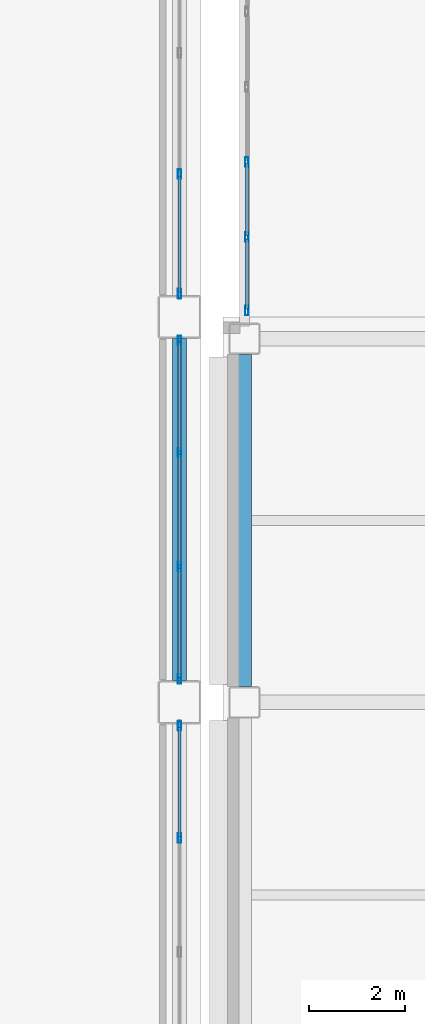
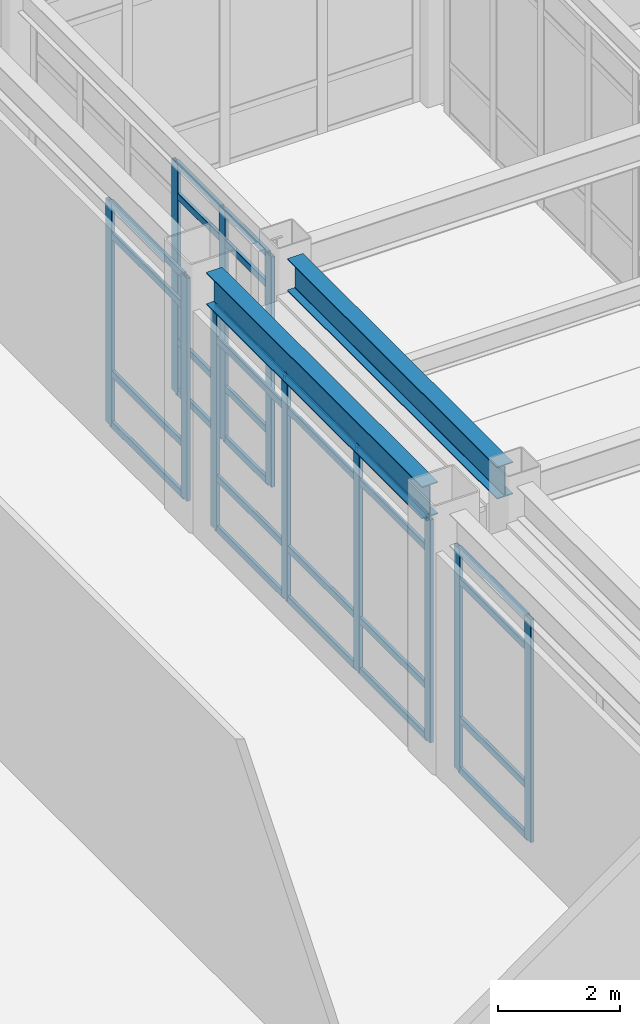
# One storey, part 62 of 165: 39 members, 2 beams, 4 elements without a shape of their own.
"""IFC4 building model written with IfcOpenShell, lengths in metres."""

from ifc_helpers import new_model, si_unit, direction, frame, origin, origin_2d, place, context, subcontext, project, spatial, hollow_rectangle, i_section, extrude, material, layer, layer_set, material_profile, profile_set, type_object, element, aggregate, save


model = new_model("IFC4")

# Units and contexts
model_context = context("Model", 3, precision=1e-05, world=origin(), true_north=direction((0.0, 1.0)))
body_context = subcontext(model_context, "Body", "Model", "MODEL_VIEW")
ifc_project = project(units=[si_unit("LENGTHUNIT", "METRE"), si_unit("AREAUNIT", "SQUARE_METRE"), si_unit("VOLUMEUNIT", "CUBIC_METRE"), si_unit("PLANEANGLEUNIT", "RADIAN"), si_unit("MASSUNIT", "GRAM", prefix="KILO")], contexts=[model_context])

# Site, building, storey
site_placement = place(None, origin())
site = spatial("IfcSite", under=ifc_project, at=site_placement, CompositionType="ELEMENT")
building_placement = place(site_placement, origin())
building = spatial("IfcBuilding", under=site, at=building_placement, Name="Kazehara Bluff Congress Hotel", CompositionType="ELEMENT")
storey_placement = place(building_placement, origin())
storey = spatial("IfcBuildingStorey", under=building, at=storey_placement, Name="L00", CompositionType="ELEMENT", Elevation=0.0)

# Curtain wall, members
ifc_material_1 = material(Name="Anodised aluminium", Category="aluminium")
ifc_layer_1 = layer(ifc_material_1, 0.159912109375)
ifc_layer_set_1 = layer_set([ifc_layer_1], Name="Anodised aluminium")
curtain_wall_type_1 = type_object("IfcCurtainWallType", Name="TP-CW-01", PredefinedType="NOTDEFINED", material=ifc_layer_set_1)
curtain_wall_1_placement = place(storey_placement, origin())
curtain_wall_1 = element("IfcCurtainWall", 1, at=curtain_wall_1_placement, inside=storey, type_object=curtain_wall_type_1, Name="L00 curtain wall CW-01 CW-BRG-34-L00-A", PredefinedType="NOTDEFINED")
ifc_material_2 = material(Name="Anodised aluminium", Category="aluminium")
ifc_material_profile_1 = material_profile(ifc_material_2, hollow_rectangle(XDim=0.070068359375, YDim=0.199951171875, WallThickness=0.0048828125, InnerFilletRadius=0.0048828125, OuterFilletRadius=0.010009765625, at=origin_2d()))
ifc_profile_set_1 = profile_set([ifc_material_profile_1], Name="Anodised aluminium")
member_type_1 = type_object("IfcMemberType", Name="TP-CWM-03", PredefinedType="MULLION", material=ifc_profile_set_1)
member_1_placement = place(storey_placement, frame((59.75, 72.5849609375, 0.0), z_axis=(0.0, 0.0, 1.0), x_axis=(-1.0, 0.0, 0.0)))
member_1 = element("IfcMember", 2, at=member_1_placement, type_object=member_type_1, Name="CW-01 mullion 1", PredefinedType="MULLION", context=body_context, shape_type="SweptSolid", body=[
    extrude(hollow_rectangle(XDim=0.070068359375, YDim=0.199951171875, WallThickness=0.0048828125, InnerFilletRadius=0.0048828125, OuterFilletRadius=0.010009765625, at=origin_2d()), origin(), (0.0, 0.0, 1.0), 4.625),
])
member_2_placement = place(storey_placement, frame((59.75, 74.110107421875, 0.0), z_axis=(0.0, 0.0, 1.0), x_axis=(-1.0, 0.0, 0.0)))
member_2 = element("IfcMember", 3, at=member_2_placement, type_object=member_type_1, Name="CW-01 mullion 2", PredefinedType="MULLION", context=body_context, shape_type="SweptSolid", body=[
    extrude(hollow_rectangle(XDim=0.070068359375, YDim=0.199951171875, WallThickness=0.0048828125, InnerFilletRadius=0.0048828125, OuterFilletRadius=0.010009765625, at=origin_2d()), origin(), (0.0, 0.0, 1.0), 4.625),
])
member_3_placement = place(storey_placement, frame((59.75, 75.669921875, 0.0), z_axis=(0.0, 0.0, 1.0), x_axis=(-1.0, 0.0, 0.0)))
member_3 = element("IfcMember", 4, at=member_3_placement, type_object=member_type_1, Name="CW-01 mullion 3", PredefinedType="MULLION", context=body_context, shape_type="SweptSolid", body=[
    extrude(hollow_rectangle(XDim=0.070068359375, YDim=0.199951171875, WallThickness=0.0048828125, InnerFilletRadius=0.0048828125, OuterFilletRadius=0.010009765625, at=origin_2d()), origin(), (0.0, 0.0, 1.0), 4.625),
])

ifc_material_3 = material(Name="Anodised aluminium", Category="aluminium")
ifc_layer_2 = layer(ifc_material_3, 0.159912109375)
ifc_layer_set_2 = layer_set([ifc_layer_2], Name="Anodised aluminium")
curtain_wall_type_2 = type_object("IfcCurtainWallType", Name="TP-CW-17", PredefinedType="NOTDEFINED", material=ifc_layer_set_2)
curtain_wall_2_placement = place(storey_placement, origin())
curtain_wall_2 = element("IfcCurtainWall", 5, at=curtain_wall_2_placement, inside=storey, type_object=curtain_wall_type_2, Name="L00 curtain wall CW-17 CW-V1-L00-X5835-5690", PredefinedType="NOTDEFINED")
member_4_placement = place(storey_placement, frame((58.35009765625, 61.63330078125, 0.0), z_axis=(0.0, 0.0, 1.0), x_axis=(-1.0, 0.0, 0.0)))
member_4 = element("IfcMember", 6, at=member_4_placement, type_object=member_type_1, Name="CW-17 mullion 3", PredefinedType="MULLION", context=body_context, shape_type="SweptSolid", body=[
    extrude(hollow_rectangle(XDim=0.070068359375, YDim=0.199951171875, WallThickness=0.0048828125, InnerFilletRadius=0.0048828125, OuterFilletRadius=0.010009765625, at=origin_2d()), origin(), (0.0, 0.0, 1.0), 4.47509765625),
])
member_5_placement = place(storey_placement, frame((58.35009765625, 63.965087890625, 0.0), z_axis=(0.0, 0.0, 1.0), x_axis=(-1.0, 0.0, 0.0)))
member_5 = element("IfcMember", 7, at=member_5_placement, type_object=member_type_1, Name="CW-17 mullion 4", PredefinedType="MULLION", context=body_context, shape_type="SweptSolid", body=[
    extrude(hollow_rectangle(XDim=0.070068359375, YDim=0.199951171875, WallThickness=0.0048828125, InnerFilletRadius=0.0048828125, OuterFilletRadius=0.010009765625, at=origin_2d()), origin(), (0.0, 0.0, 1.0), 4.47509765625),
])

curtain_wall_3_placement = place(storey_placement, origin())
curtain_wall_3 = element("IfcCurtainWall", 8, at=curtain_wall_3_placement, inside=storey, type_object=curtain_wall_type_2, Name="L00 curtain wall CW-17 CW-V1-L00-X5835-6490", PredefinedType="NOTDEFINED")
member_6_placement = place(storey_placement, frame((58.35009765625, 64.93505859375, 0.0), z_axis=(0.0, 0.0, 1.0), x_axis=(-1.0, 0.0, 0.0)))
member_6 = element("IfcMember", 9, at=member_6_placement, type_object=member_type_1, Name="CW-17 mullion 1", PredefinedType="MULLION", context=body_context, shape_type="SweptSolid", body=[
    extrude(hollow_rectangle(XDim=0.070068359375, YDim=0.199951171875, WallThickness=0.0048828125, InnerFilletRadius=0.0048828125, OuterFilletRadius=0.010009765625, at=origin_2d()), origin(), (0.0, 0.0, 1.0), 4.47509765625),
])
member_7_placement = place(storey_placement, frame((58.35009765625, 67.2666015625, 0.0), z_axis=(0.0, 0.0, 1.0), x_axis=(-1.0, 0.0, 0.0)))
member_7 = element("IfcMember", 10, at=member_7_placement, type_object=member_type_1, Name="CW-17 mullion 2", PredefinedType="MULLION", context=body_context, shape_type="SweptSolid", body=[
    extrude(hollow_rectangle(XDim=0.070068359375, YDim=0.199951171875, WallThickness=0.0048828125, InnerFilletRadius=0.0048828125, OuterFilletRadius=0.010009765625, at=origin_2d()), origin(), (0.0, 0.0, 1.0), 4.47509765625),
])
member_8_placement = place(storey_placement, frame((58.35009765625, 69.63330078125, 0.0), z_axis=(0.0, 0.0, 1.0), x_axis=(-1.0, 0.0, 0.0)))
member_8 = element("IfcMember", 11, at=member_8_placement, type_object=member_type_1, Name="CW-17 mullion 3", PredefinedType="MULLION", context=body_context, shape_type="SweptSolid", body=[
    extrude(hollow_rectangle(XDim=0.070068359375, YDim=0.199951171875, WallThickness=0.0048828125, InnerFilletRadius=0.0048828125, OuterFilletRadius=0.010009765625, at=origin_2d()), origin(), (0.0, 0.0, 1.0), 4.47509765625),
])
member_9_placement = place(storey_placement, frame((58.35009765625, 71.965087890625, 0.0), z_axis=(0.0, 0.0, 1.0), x_axis=(-1.0, 0.0, 0.0)))
member_9 = element("IfcMember", 12, at=member_9_placement, type_object=member_type_1, Name="CW-17 mullion 4", PredefinedType="MULLION", context=body_context, shape_type="SweptSolid", body=[
    extrude(hollow_rectangle(XDim=0.070068359375, YDim=0.199951171875, WallThickness=0.0048828125, InnerFilletRadius=0.0048828125, OuterFilletRadius=0.010009765625, at=origin_2d()), origin(), (0.0, 0.0, 1.0), 4.47509765625),
])

ifc_material_4 = material(Name="Anodised aluminium", Category="aluminium")
ifc_layer_3 = layer(ifc_material_4, 0.159912109375)
ifc_layer_set_3 = layer_set([ifc_layer_3], Name="Anodised aluminium")
curtain_wall_type_3 = type_object("IfcCurtainWallType", Name="TP-CW-18", PredefinedType="NOTDEFINED", material=ifc_layer_set_3)
curtain_wall_4_placement = place(storey_placement, origin())
curtain_wall_4 = element("IfcCurtainWall", 13, at=curtain_wall_4_placement, inside=storey, type_object=curtain_wall_type_3, Name="L00 curtain wall CW-18 CW-V1-L00-X5835-7290", PredefinedType="NOTDEFINED")
member_10_placement = place(storey_placement, frame((58.35009765625, 72.93505859375, 0.0), z_axis=(0.0, 0.0, 1.0), x_axis=(-1.0, 0.0, 0.0)))
member_10 = element("IfcMember", 14, at=member_10_placement, type_object=member_type_1, Name="CW-18 mullion 1", PredefinedType="MULLION", context=body_context, shape_type="SweptSolid", body=[
    extrude(hollow_rectangle(XDim=0.070068359375, YDim=0.199951171875, WallThickness=0.0048828125, InnerFilletRadius=0.0048828125, OuterFilletRadius=0.010009765625, at=origin_2d()), origin(), (0.0, 0.0, 1.0), 4.47509765625),
])
member_11_placement = place(storey_placement, frame((58.35009765625, 75.416748046875, 0.0), z_axis=(0.0, 0.0, 1.0), x_axis=(-1.0, 0.0, 0.0)))
member_11 = element("IfcMember", 15, at=member_11_placement, type_object=member_type_1, Name="CW-18 mullion 2", PredefinedType="MULLION", context=body_context, shape_type="SweptSolid", body=[
    extrude(hollow_rectangle(XDim=0.070068359375, YDim=0.199951171875, WallThickness=0.0048828125, InnerFilletRadius=0.0048828125, OuterFilletRadius=0.010009765625, at=origin_2d()), origin(), (0.0, 0.0, 1.0), 4.47509765625),
])

# Member
ifc_material_5 = material(Name="Anodised aluminium", Category="aluminium")
ifc_material_profile_2 = material_profile(ifc_material_5, hollow_rectangle(XDim=0.06494140625, YDim=0.139892578125, WallThickness=0.00390625, InnerFilletRadius=0.00390625, OuterFilletRadius=0.008056640625, at=origin_2d()))
ifc_profile_set_2 = profile_set([ifc_material_profile_2], Name="Anodised aluminium")
member_type_2 = type_object("IfcMemberType", Name="TP-CWT-02", PredefinedType="USERDEFINED", material=ifc_profile_set_2)
member_12_placement = place(storey_placement, frame((59.75, 72.6201171875, 0.032470703125), z_axis=(0.0, 1.0, 0.0), x_axis=(-1.0, 0.0, 0.0)))
member_12 = element("IfcMember", 16, at=member_12_placement, type_object=member_type_2, Name="CW-01 transom 1.1", ObjectType="TRANSOM", PredefinedType="USERDEFINED", context=body_context, shape_type="SweptSolid", body=[
    extrude(hollow_rectangle(XDim=0.06494140625, YDim=0.139892578125, WallThickness=0.00390625, InnerFilletRadius=0.00390625, OuterFilletRadius=0.008056640625, at=origin_2d()), origin(), (0.0, 0.0, 1.0), 1.454833984375),
])

member_13_placement = place(storey_placement, frame((59.75, 72.6201171875, 1.050048828125), z_axis=(0.0, 1.0, 0.0), x_axis=(-1.0, 0.0, 0.0)))
member_13 = element("IfcMember", 17, at=member_13_placement, type_object=member_type_2, Name="CW-01 transom 1.2", ObjectType="TRANSOM", PredefinedType="USERDEFINED", context=body_context, shape_type="SweptSolid", body=[
    extrude(hollow_rectangle(XDim=0.06494140625, YDim=0.139892578125, WallThickness=0.00390625, InnerFilletRadius=0.00390625, OuterFilletRadius=0.008056640625, at=origin_2d()), origin(), (0.0, 0.0, 1.0), 1.454833984375),
])

member_14_placement = place(storey_placement, frame((59.75, 72.6201171875, 3.97509765625), z_axis=(0.0, 1.0, 0.0), x_axis=(-1.0, 0.0, 0.0)))
member_14 = element("IfcMember", 18, at=member_14_placement, type_object=member_type_2, Name="CW-01 transom 1.3", ObjectType="TRANSOM", PredefinedType="USERDEFINED", context=body_context, shape_type="SweptSolid", body=[
    extrude(hollow_rectangle(XDim=0.06494140625, YDim=0.139892578125, WallThickness=0.00390625, InnerFilletRadius=0.00390625, OuterFilletRadius=0.008056640625, at=origin_2d()), origin(), (0.0, 0.0, 1.0), 1.454833984375),
])

member_15_placement = place(storey_placement, frame((59.75, 72.6201171875, 4.592529296875), z_axis=(0.0, 1.0, 0.0), x_axis=(-1.0, 0.0, 0.0)))
member_15 = element("IfcMember", 19, at=member_15_placement, type_object=member_type_2, Name="CW-01 transom 1.4", ObjectType="TRANSOM", PredefinedType="USERDEFINED", context=body_context, shape_type="SweptSolid", body=[
    extrude(hollow_rectangle(XDim=0.06494140625, YDim=0.139892578125, WallThickness=0.00390625, InnerFilletRadius=0.00390625, OuterFilletRadius=0.008056640625, at=origin_2d()), origin(), (0.0, 0.0, 1.0), 1.454833984375),
])

member_16_placement = place(storey_placement, frame((59.75, 74.14501953125, 0.032470703125), z_axis=(0.0, 1.0, 0.0), x_axis=(-1.0, 0.0, 0.0)))
member_16 = element("IfcMember", 20, at=member_16_placement, type_object=member_type_2, Name="CW-01 transom 2.1", ObjectType="TRANSOM", PredefinedType="USERDEFINED", context=body_context, shape_type="SweptSolid", body=[
    extrude(hollow_rectangle(XDim=0.06494140625, YDim=0.139892578125, WallThickness=0.00390625, InnerFilletRadius=0.00390625, OuterFilletRadius=0.008056640625, at=origin_2d()), origin(), (0.0, 0.0, 1.0), 1.489990234375),
])

member_17_placement = place(storey_placement, frame((59.75, 74.14501953125, 1.050048828125), z_axis=(0.0, 1.0, 0.0), x_axis=(-1.0, 0.0, 0.0)))
member_17 = element("IfcMember", 21, at=member_17_placement, type_object=member_type_2, Name="CW-01 transom 2.2", ObjectType="TRANSOM", PredefinedType="USERDEFINED", context=body_context, shape_type="SweptSolid", body=[
    extrude(hollow_rectangle(XDim=0.06494140625, YDim=0.139892578125, WallThickness=0.00390625, InnerFilletRadius=0.00390625, OuterFilletRadius=0.008056640625, at=origin_2d()), origin(), (0.0, 0.0, 1.0), 1.489990234375),
])

member_18_placement = place(storey_placement, frame((59.75, 74.14501953125, 3.97509765625), z_axis=(0.0, 1.0, 0.0), x_axis=(-1.0, 0.0, 0.0)))
member_18 = element("IfcMember", 22, at=member_18_placement, type_object=member_type_2, Name="CW-01 transom 2.3", ObjectType="TRANSOM", PredefinedType="USERDEFINED", context=body_context, shape_type="SweptSolid", body=[
    extrude(hollow_rectangle(XDim=0.06494140625, YDim=0.139892578125, WallThickness=0.00390625, InnerFilletRadius=0.00390625, OuterFilletRadius=0.008056640625, at=origin_2d()), origin(), (0.0, 0.0, 1.0), 1.489990234375),
])

member_19_placement = place(storey_placement, frame((59.75, 74.14501953125, 4.592529296875), z_axis=(0.0, 1.0, 0.0), x_axis=(-1.0, 0.0, 0.0)))
member_19 = element("IfcMember", 23, at=member_19_placement, type_object=member_type_2, Name="CW-01 transom 2.4", ObjectType="TRANSOM", PredefinedType="USERDEFINED", context=body_context, shape_type="SweptSolid", body=[
    extrude(hollow_rectangle(XDim=0.06494140625, YDim=0.139892578125, WallThickness=0.00390625, InnerFilletRadius=0.00390625, OuterFilletRadius=0.008056640625, at=origin_2d()), origin(), (0.0, 0.0, 1.0), 1.489990234375),
])

aggregate(curtain_wall_1, [member_1, member_2, member_3, member_12, member_13, member_14, member_15, member_16, member_17, member_18, member_19])

member_20_placement = place(storey_placement, frame((58.35009765625, 61.668212890625, 0.032470703125), z_axis=(0.0, 1.0, 0.0), x_axis=(-1.0, 0.0, 0.0)))
member_20 = element("IfcMember", 24, at=member_20_placement, type_object=member_type_2, Name="CW-17 transom 3.1", ObjectType="TRANSOM", PredefinedType="USERDEFINED", context=body_context, shape_type="SweptSolid", body=[
    extrude(hollow_rectangle(XDim=0.06494140625, YDim=0.139892578125, WallThickness=0.00390625, InnerFilletRadius=0.00390625, OuterFilletRadius=0.008056640625, at=origin_2d()), origin(), (0.0, 0.0, 1.0), 2.26171875),
])

member_21_placement = place(storey_placement, frame((58.35009765625, 61.668212890625, 1.050048828125), z_axis=(0.0, 1.0, 0.0), x_axis=(-1.0, 0.0, 0.0)))
member_21 = element("IfcMember", 25, at=member_21_placement, type_object=member_type_2, Name="CW-17 transom 3.2", ObjectType="TRANSOM", PredefinedType="USERDEFINED", context=body_context, shape_type="SweptSolid", body=[
    extrude(hollow_rectangle(XDim=0.06494140625, YDim=0.139892578125, WallThickness=0.00390625, InnerFilletRadius=0.00390625, OuterFilletRadius=0.008056640625, at=origin_2d()), origin(), (0.0, 0.0, 1.0), 2.26171875),
])

member_22_placement = place(storey_placement, frame((58.35009765625, 61.668212890625, 3.824951171875), z_axis=(0.0, 1.0, 0.0), x_axis=(-1.0, 0.0, 0.0)))
member_22 = element("IfcMember", 26, at=member_22_placement, type_object=member_type_2, Name="CW-17 transom 3.3", ObjectType="TRANSOM", PredefinedType="USERDEFINED", context=body_context, shape_type="SweptSolid", body=[
    extrude(hollow_rectangle(XDim=0.06494140625, YDim=0.139892578125, WallThickness=0.00390625, InnerFilletRadius=0.00390625, OuterFilletRadius=0.008056640625, at=origin_2d()), origin(), (0.0, 0.0, 1.0), 2.26171875),
])

member_23_placement = place(storey_placement, frame((58.35009765625, 61.668212890625, 4.4423828125), z_axis=(0.0, 1.0, 0.0), x_axis=(-1.0, 0.0, 0.0)))
member_23 = element("IfcMember", 27, at=member_23_placement, type_object=member_type_2, Name="CW-17 transom 3.4", ObjectType="TRANSOM", PredefinedType="USERDEFINED", context=body_context, shape_type="SweptSolid", body=[
    extrude(hollow_rectangle(XDim=0.06494140625, YDim=0.139892578125, WallThickness=0.00390625, InnerFilletRadius=0.00390625, OuterFilletRadius=0.008056640625, at=origin_2d()), origin(), (0.0, 0.0, 1.0), 2.26171875),
])

aggregate(curtain_wall_2, [member_4, member_5, member_20, member_21, member_22, member_23])

member_24_placement = place(storey_placement, frame((58.35009765625, 64.969970703125, 0.032470703125), z_axis=(0.0, 1.0, 0.0), x_axis=(-1.0, 0.0, 0.0)))
member_24 = element("IfcMember", 28, at=member_24_placement, type_object=member_type_2, Name="CW-17 transom 1.1", ObjectType="TRANSOM", PredefinedType="USERDEFINED", context=body_context, shape_type="SweptSolid", body=[
    extrude(hollow_rectangle(XDim=0.06494140625, YDim=0.139892578125, WallThickness=0.00390625, InnerFilletRadius=0.00390625, OuterFilletRadius=0.008056640625, at=origin_2d()), origin(), (0.0, 0.0, 1.0), 2.26171875),
])

member_25_placement = place(storey_placement, frame((58.35009765625, 64.969970703125, 1.050048828125), z_axis=(0.0, 1.0, 0.0), x_axis=(-1.0, 0.0, 0.0)))
member_25 = element("IfcMember", 29, at=member_25_placement, type_object=member_type_2, Name="CW-17 transom 1.2", ObjectType="TRANSOM", PredefinedType="USERDEFINED", context=body_context, shape_type="SweptSolid", body=[
    extrude(hollow_rectangle(XDim=0.06494140625, YDim=0.139892578125, WallThickness=0.00390625, InnerFilletRadius=0.00390625, OuterFilletRadius=0.008056640625, at=origin_2d()), origin(), (0.0, 0.0, 1.0), 2.26171875),
])

member_26_placement = place(storey_placement, frame((58.35009765625, 64.969970703125, 3.824951171875), z_axis=(0.0, 1.0, 0.0), x_axis=(-1.0, 0.0, 0.0)))
member_26 = element("IfcMember", 30, at=member_26_placement, type_object=member_type_2, Name="CW-17 transom 1.3", ObjectType="TRANSOM", PredefinedType="USERDEFINED", context=body_context, shape_type="SweptSolid", body=[
    extrude(hollow_rectangle(XDim=0.06494140625, YDim=0.139892578125, WallThickness=0.00390625, InnerFilletRadius=0.00390625, OuterFilletRadius=0.008056640625, at=origin_2d()), origin(), (0.0, 0.0, 1.0), 2.26171875),
])

member_27_placement = place(storey_placement, frame((58.35009765625, 64.969970703125, 4.4423828125), z_axis=(0.0, 1.0, 0.0), x_axis=(-1.0, 0.0, 0.0)))
member_27 = element("IfcMember", 31, at=member_27_placement, type_object=member_type_2, Name="CW-17 transom 1.4", ObjectType="TRANSOM", PredefinedType="USERDEFINED", context=body_context, shape_type="SweptSolid", body=[
    extrude(hollow_rectangle(XDim=0.06494140625, YDim=0.139892578125, WallThickness=0.00390625, InnerFilletRadius=0.00390625, OuterFilletRadius=0.008056640625, at=origin_2d()), origin(), (0.0, 0.0, 1.0), 2.26171875),
])

member_28_placement = place(storey_placement, frame((58.35009765625, 67.3017578125, 0.032470703125), z_axis=(0.0, 1.0, 0.0), x_axis=(-1.0, 0.0, 0.0)))
member_28 = element("IfcMember", 32, at=member_28_placement, type_object=member_type_2, Name="CW-17 transom 2.1", ObjectType="TRANSOM", PredefinedType="USERDEFINED", context=body_context, shape_type="SweptSolid", body=[
    extrude(hollow_rectangle(XDim=0.06494140625, YDim=0.139892578125, WallThickness=0.00390625, InnerFilletRadius=0.00390625, OuterFilletRadius=0.008056640625, at=origin_2d()), origin(), (0.0, 0.0, 1.0), 2.296630859375),
])

member_29_placement = place(storey_placement, frame((58.35009765625, 67.3017578125, 1.050048828125), z_axis=(0.0, 1.0, 0.0), x_axis=(-1.0, 0.0, 0.0)))
member_29 = element("IfcMember", 33, at=member_29_placement, type_object=member_type_2, Name="CW-17 transom 2.2", ObjectType="TRANSOM", PredefinedType="USERDEFINED", context=body_context, shape_type="SweptSolid", body=[
    extrude(hollow_rectangle(XDim=0.06494140625, YDim=0.139892578125, WallThickness=0.00390625, InnerFilletRadius=0.00390625, OuterFilletRadius=0.008056640625, at=origin_2d()), origin(), (0.0, 0.0, 1.0), 2.296630859375),
])

member_30_placement = place(storey_placement, frame((58.35009765625, 67.3017578125, 3.824951171875), z_axis=(0.0, 1.0, 0.0), x_axis=(-1.0, 0.0, 0.0)))
member_30 = element("IfcMember", 34, at=member_30_placement, type_object=member_type_2, Name="CW-17 transom 2.3", ObjectType="TRANSOM", PredefinedType="USERDEFINED", context=body_context, shape_type="SweptSolid", body=[
    extrude(hollow_rectangle(XDim=0.06494140625, YDim=0.139892578125, WallThickness=0.00390625, InnerFilletRadius=0.00390625, OuterFilletRadius=0.008056640625, at=origin_2d()), origin(), (0.0, 0.0, 1.0), 2.296630859375),
])

member_31_placement = place(storey_placement, frame((58.35009765625, 67.3017578125, 4.4423828125), z_axis=(0.0, 1.0, 0.0), x_axis=(-1.0, 0.0, 0.0)))
member_31 = element("IfcMember", 35, at=member_31_placement, type_object=member_type_2, Name="CW-17 transom 2.4", ObjectType="TRANSOM", PredefinedType="USERDEFINED", context=body_context, shape_type="SweptSolid", body=[
    extrude(hollow_rectangle(XDim=0.06494140625, YDim=0.139892578125, WallThickness=0.00390625, InnerFilletRadius=0.00390625, OuterFilletRadius=0.008056640625, at=origin_2d()), origin(), (0.0, 0.0, 1.0), 2.296630859375),
])

member_32_placement = place(storey_placement, frame((58.35009765625, 69.668212890625, 0.032470703125), z_axis=(0.0, 1.0, 0.0), x_axis=(-1.0, 0.0, 0.0)))
member_32 = element("IfcMember", 36, at=member_32_placement, type_object=member_type_2, Name="CW-17 transom 3.1", ObjectType="TRANSOM", PredefinedType="USERDEFINED", context=body_context, shape_type="SweptSolid", body=[
    extrude(hollow_rectangle(XDim=0.06494140625, YDim=0.139892578125, WallThickness=0.00390625, InnerFilletRadius=0.00390625, OuterFilletRadius=0.008056640625, at=origin_2d()), origin(), (0.0, 0.0, 1.0), 2.26171875),
])

member_33_placement = place(storey_placement, frame((58.35009765625, 69.668212890625, 1.050048828125), z_axis=(0.0, 1.0, 0.0), x_axis=(-1.0, 0.0, 0.0)))
member_33 = element("IfcMember", 37, at=member_33_placement, type_object=member_type_2, Name="CW-17 transom 3.2", ObjectType="TRANSOM", PredefinedType="USERDEFINED", context=body_context, shape_type="SweptSolid", body=[
    extrude(hollow_rectangle(XDim=0.06494140625, YDim=0.139892578125, WallThickness=0.00390625, InnerFilletRadius=0.00390625, OuterFilletRadius=0.008056640625, at=origin_2d()), origin(), (0.0, 0.0, 1.0), 2.26171875),
])

member_34_placement = place(storey_placement, frame((58.35009765625, 69.668212890625, 3.824951171875), z_axis=(0.0, 1.0, 0.0), x_axis=(-1.0, 0.0, 0.0)))
member_34 = element("IfcMember", 38, at=member_34_placement, type_object=member_type_2, Name="CW-17 transom 3.3", ObjectType="TRANSOM", PredefinedType="USERDEFINED", context=body_context, shape_type="SweptSolid", body=[
    extrude(hollow_rectangle(XDim=0.06494140625, YDim=0.139892578125, WallThickness=0.00390625, InnerFilletRadius=0.00390625, OuterFilletRadius=0.008056640625, at=origin_2d()), origin(), (0.0, 0.0, 1.0), 2.26171875),
])

member_35_placement = place(storey_placement, frame((58.35009765625, 69.668212890625, 4.4423828125), z_axis=(0.0, 1.0, 0.0), x_axis=(-1.0, 0.0, 0.0)))
member_35 = element("IfcMember", 39, at=member_35_placement, type_object=member_type_2, Name="CW-17 transom 3.4", ObjectType="TRANSOM", PredefinedType="USERDEFINED", context=body_context, shape_type="SweptSolid", body=[
    extrude(hollow_rectangle(XDim=0.06494140625, YDim=0.139892578125, WallThickness=0.00390625, InnerFilletRadius=0.00390625, OuterFilletRadius=0.008056640625, at=origin_2d()), origin(), (0.0, 0.0, 1.0), 2.26171875),
])

aggregate(curtain_wall_3, [member_6, member_7, member_8, member_9, member_24, member_25, member_26, member_27, member_28, member_29, member_30, member_31, member_32, member_33, member_34, member_35])

member_36_placement = place(storey_placement, frame((58.35009765625, 72.969970703125, 0.032470703125), z_axis=(0.0, 1.0, 0.0), x_axis=(-1.0, 0.0, 0.0)))
member_36 = element("IfcMember", 40, at=member_36_placement, type_object=member_type_2, Name="CW-18 transom 1.1", ObjectType="TRANSOM", PredefinedType="USERDEFINED", context=body_context, shape_type="SweptSolid", body=[
    extrude(hollow_rectangle(XDim=0.06494140625, YDim=0.139892578125, WallThickness=0.00390625, InnerFilletRadius=0.00390625, OuterFilletRadius=0.008056640625, at=origin_2d()), origin(), (0.0, 0.0, 1.0), 2.41162109375),
])

member_37_placement = place(storey_placement, frame((58.35009765625, 72.969970703125, 1.050048828125), z_axis=(0.0, 1.0, 0.0), x_axis=(-1.0, 0.0, 0.0)))
member_37 = element("IfcMember", 41, at=member_37_placement, type_object=member_type_2, Name="CW-18 transom 1.2", ObjectType="TRANSOM", PredefinedType="USERDEFINED", context=body_context, shape_type="SweptSolid", body=[
    extrude(hollow_rectangle(XDim=0.06494140625, YDim=0.139892578125, WallThickness=0.00390625, InnerFilletRadius=0.00390625, OuterFilletRadius=0.008056640625, at=origin_2d()), origin(), (0.0, 0.0, 1.0), 2.41162109375),
])

member_38_placement = place(storey_placement, frame((58.35009765625, 72.969970703125, 3.824951171875), z_axis=(0.0, 1.0, 0.0), x_axis=(-1.0, 0.0, 0.0)))
member_38 = element("IfcMember", 42, at=member_38_placement, type_object=member_type_2, Name="CW-18 transom 1.3", ObjectType="TRANSOM", PredefinedType="USERDEFINED", context=body_context, shape_type="SweptSolid", body=[
    extrude(hollow_rectangle(XDim=0.06494140625, YDim=0.139892578125, WallThickness=0.00390625, InnerFilletRadius=0.00390625, OuterFilletRadius=0.008056640625, at=origin_2d()), origin(), (0.0, 0.0, 1.0), 2.41162109375),
])

member_39_placement = place(storey_placement, frame((58.35009765625, 72.969970703125, 4.4423828125), z_axis=(0.0, 1.0, 0.0), x_axis=(-1.0, 0.0, 0.0)))
member_39 = element("IfcMember", 43, at=member_39_placement, type_object=member_type_2, Name="CW-18 transom 1.4", ObjectType="TRANSOM", PredefinedType="USERDEFINED", context=body_context, shape_type="SweptSolid", body=[
    extrude(hollow_rectangle(XDim=0.06494140625, YDim=0.139892578125, WallThickness=0.00390625, InnerFilletRadius=0.00390625, OuterFilletRadius=0.008056640625, at=origin_2d()), origin(), (0.0, 0.0, 1.0), 2.41162109375),
])

aggregate(curtain_wall_4, [member_10, member_11, member_36, member_37, member_38, member_39])

# Beams
ifc_material_6 = material(Name="Steel SN490B", Category="steel")
ifc_material_profile_3 = material_profile(ifc_material_6, i_section(OverallWidth=0.300048828125, OverallDepth=0.64990234375, WebThickness=0.011962890625, FlangeThickness=0.02001953125, FilletRadius=0.012939453125, at=origin_2d()))
ifc_profile_set_3 = profile_set([ifc_material_profile_3], Name="Steel SN490B")
beam_type = type_object("IfcBeamType", Name="TP-G-03", PredefinedType="BEAM", material=ifc_profile_set_3)
beam_1_placement = place(storey_placement, frame((58.35009765625, 64.89990234375, 4.824951171875), z_axis=(0.0, 1.0, 0.0), x_axis=(-1.0, 0.0, 0.0)))
element("IfcBeam", 44, at=beam_1_placement, inside=storey, type_object=beam_type, Name="L00 girder G-03 19", PredefinedType="BEAM", context=body_context, shape_type="SweptSolid", body=[
    extrude(i_section(OverallWidth=0.300048828125, OverallDepth=0.64990234375, WebThickness=0.011962890625, FlangeThickness=0.02001953125, FilletRadius=0.012939453125, at=origin_2d()), origin(), (0.0, 0.0, 1.0), 7.10009765625),
])
beam_2_placement = place(storey_placement, frame((59.699951171875, 64.77490234375, 4.824951171875), z_axis=(0.0, 1.0, 0.0), x_axis=(-1.0, 0.0, 0.0)))
element("IfcBeam", 45, at=beam_2_placement, inside=storey, type_object=beam_type, Name="L00 girder G-03 154", PredefinedType="BEAM", context=body_context, shape_type="SweptSolid", body=[
    extrude(i_section(OverallWidth=0.300048828125, OverallDepth=0.64990234375, WebThickness=0.011962890625, FlangeThickness=0.02001953125, FilletRadius=0.012939453125, at=origin_2d()), origin(), (0.0, 0.0, 1.0), 6.900146484375),
])

save(model, "model.ifc")
